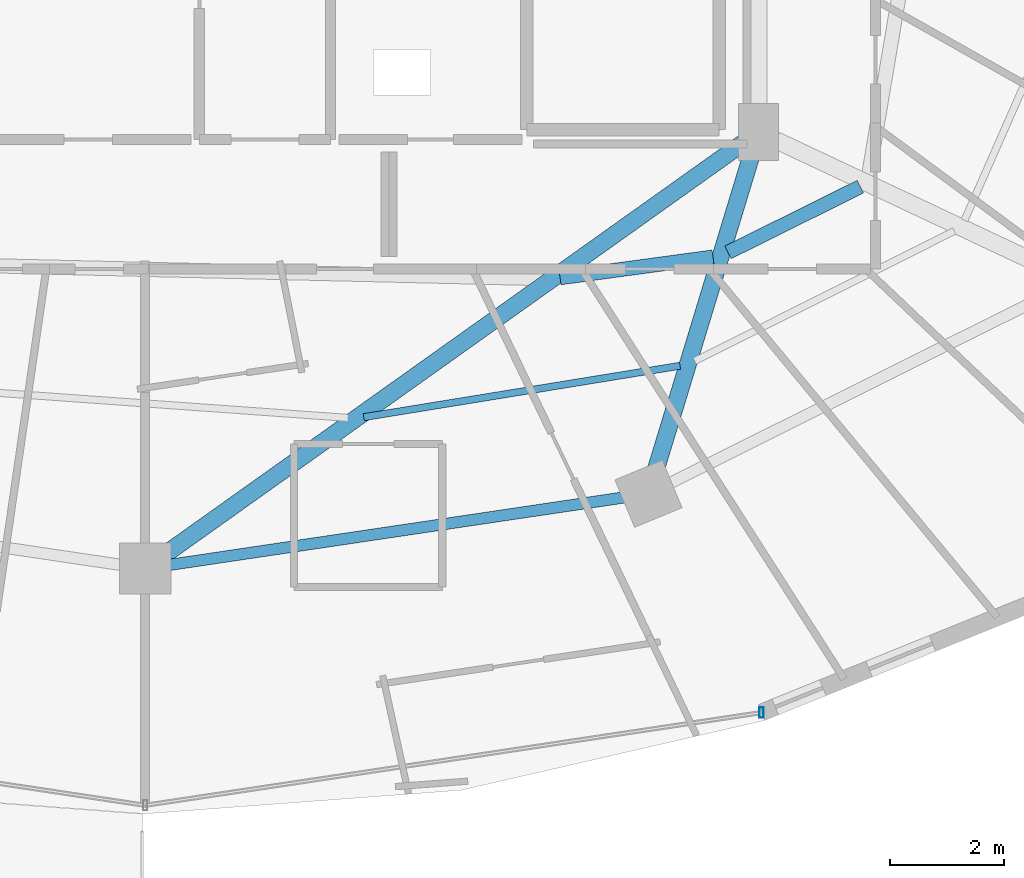
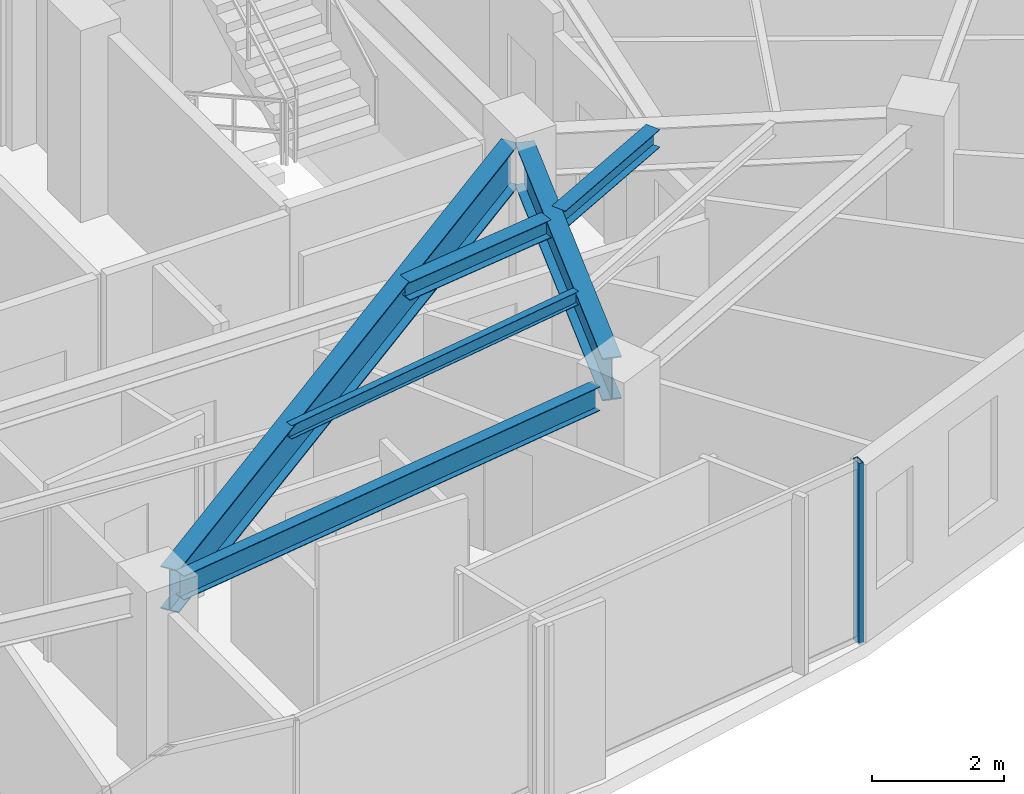
# One storey, part 11 of 33: 6 beams, 1 member, 1 element without a shape of its own.
"""IFC4 building model written with IfcOpenShell, lengths in metres."""

from ifc_helpers import new_model, si_unit, direction, frame, origin, origin_2d, place, context, subcontext, project, spatial, hollow_rectangle, i_section, extrude, material, material_profile, profile_set, type_object, element, aggregate, save


model = new_model("IFC4")

# Units and contexts
model_context = context("Model", 3, precision=1e-05, world=origin(), true_north=direction((0.0, 1.0)))
body_context = subcontext(model_context, "Body", "Model", "MODEL_VIEW")
ifc_project = project(units=[si_unit("LENGTHUNIT", "METRE"), si_unit("AREAUNIT", "SQUARE_METRE"), si_unit("VOLUMEUNIT", "CUBIC_METRE"), si_unit("PLANEANGLEUNIT", "RADIAN"), si_unit("MASSUNIT", "GRAM", prefix="KILO")], contexts=[model_context])

# Site, building, storey
site_placement = place(None, origin())
site = spatial("IfcSite", under=ifc_project, at=site_placement, CompositionType="ELEMENT")
building_placement = place(site_placement, origin())
building = spatial("IfcBuilding", under=site, at=building_placement, Name="Vorneva Point Tower", CompositionType="ELEMENT")
storey_placement = place(building_placement, frame((0.0, 0.0, 203.64990234375)))
storey = spatial("IfcBuildingStorey", under=building, at=storey_placement, Name="L55", CompositionType="ELEMENT", Elevation=203.64990234375)

# Beams
ifc_material_1 = material(Name="Steel S355", Category="steel")
ifc_material_profile_1 = material_profile(ifc_material_1, i_section(OverallWidth=0.300048828125, OverallDepth=0.7880859375, WebThickness=0.014404296875, FlangeThickness=0.02197265625, at=origin_2d()), Name="80Sh1")
ifc_profile_set_1 = profile_set([ifc_material_profile_1], Name="Steel S355")
beam_type_1 = type_object("IfcBeamType", Name="BM-GRD-80Sh1", PredefinedType="USERDEFINED", material=ifc_profile_set_1)
beam_1_placement = place(storey_placement, frame((38.35693359375, 9.053955078125, 2.89599609375), z_axis=(0.814749933852, 0.579812508737, 0.0), x_axis=(-0.579812508737, 0.814749933852, 0.0)))
element("IfcBeam", 1, at=beam_1_placement, inside=storey, type_object=beam_type_1, Name="L55 Radial Primary Girder 13", ObjectType="GIRDER", PredefinedType="USERDEFINED", context=body_context, shape_type="SweptSolid", body=[
    extrude(i_section(OverallWidth=0.300048828125, OverallDepth=0.7880859375, WebThickness=0.014404296875, FlangeThickness=0.02197265625, at=origin_2d()), origin(), (0.0, 0.0, 1.0), 12.416015625),
])
beam_2_placement = place(storey_placement, frame((46.948486328125, 10.5283203125, 2.89599609375), z_axis=(0.291025429135, 0.956715317948, 0.0), x_axis=(-0.956715317948, 0.291025429135, 0.0)))
element("IfcBeam", 2, at=beam_2_placement, inside=storey, type_object=beam_type_1, Name="L55 Radial Primary Girder 14", ObjectType="GIRDER", PredefinedType="USERDEFINED", context=body_context, shape_type="SweptSolid", body=[
    extrude(i_section(OverallWidth=0.300048828125, OverallDepth=0.7880859375, WebThickness=0.014404296875, FlangeThickness=0.02197265625, at=origin_2d()), origin(), (0.0, 0.0, 1.0), 5.849609375),
])
ifc_material_profile_2 = material_profile(ifc_material_1, i_section(OverallWidth=0.1240234375, OverallDepth=0.248046875, WebThickness=0.0048828125, FlangeThickness=0.008056640625, at=origin_2d()), Name="25B1")
ifc_profile_set_2 = profile_set([ifc_material_profile_2], Name="Steel S355")
beam_type_2 = type_object("IfcBeamType", Name="BM-JST-25B1", PredefinedType="JOIST", material=ifc_profile_set_2)
beam_3_placement = place(storey_placement, frame((41.831298828125, 11.451904296875, 3.166015625), z_axis=(0.987040600288, 0.160470724383, 0.0), x_axis=(-0.160470724383, 0.987040600288, 0.0)))
element("IfcBeam", 3, at=beam_3_placement, inside=storey, type_object=beam_type_2, Name="L55 Secondary Floor Beam 1.13", PredefinedType="JOIST", context=body_context, shape_type="SweptSolid", body=[
    extrude(i_section(OverallWidth=0.1240234375, OverallDepth=0.248046875, WebThickness=0.0048828125, FlangeThickness=0.008056640625, at=origin_2d()), origin(), (0.0, 0.0, 1.0), 5.615478515625),
])
ifc_material_profile_3 = material_profile(ifc_material_1, i_section(OverallWidth=0.2490234375, OverallDepth=0.333984375, WebThickness=0.008056640625, FlangeThickness=0.010986328125, at=origin_2d()), Name="35Sh1")
ifc_profile_set_3 = profile_set([ifc_material_profile_3], Name="Steel S355")
beam_type_3 = type_object("IfcBeamType", Name="BM-SEC-35Sh1", PredefinedType="BEAM", material=ifc_profile_set_3)
beam_4_placement = place(storey_placement, frame((45.271484375, 13.895751953125, 3.123046875), z_axis=(0.990931477232, 0.134368178636, 0.0), x_axis=(-0.134368178636, 0.990931477232, 0.0)))
element("IfcBeam", 4, at=beam_4_placement, inside=storey, type_object=beam_type_3, Name="L55 Secondary Floor Beam 2.13", PredefinedType="BEAM", context=body_context, shape_type="SweptSolid", body=[
    extrude(i_section(OverallWidth=0.2490234375, OverallDepth=0.333984375, WebThickness=0.008056640625, FlangeThickness=0.010986328125, at=origin_2d()), origin(), (0.0, 0.0, 1.0), 2.705322265625),
])
beam_5_placement = place(storey_placement, frame((48.212646484375, 14.33935546875, 3.123046875), z_axis=(0.895686614841, 0.444685830666, 0.0), x_axis=(-0.444685830666, 0.895686614841, 0.0)))
element("IfcBeam", 5, at=beam_5_placement, inside=storey, type_object=beam_type_3, Name="L55 Secondary Floor Beam 2.14", PredefinedType="BEAM", context=body_context, shape_type="SweptSolid", body=[
    extrude(i_section(OverallWidth=0.2490234375, OverallDepth=0.333984375, WebThickness=0.008056640625, FlangeThickness=0.010986328125, at=origin_2d()), origin(), (0.0, 0.0, 1.0), 2.59033203125),
])
ifc_material_profile_4 = material_profile(ifc_material_1, i_section(OverallWidth=0.198974609375, OverallDepth=0.446044921875, WebThickness=0.008056640625, FlangeThickness=0.011962890625, at=origin_2d()), Name="45B1")
ifc_profile_set_4 = profile_set([ifc_material_profile_4], Name="Steel S355")
beam_type_4 = type_object("IfcBeamType", Name="BM-SPN-45B1", PredefinedType="SPANDREL", material=ifc_profile_set_4)
beam_6_placement = place(storey_placement, frame((38.430419921875, 8.864013671875, 3.067138671875), z_axis=(0.989165476332, 0.146804837907, 0.0), x_axis=(-0.146804837907, 0.989165476332, 0.0)))
element("IfcBeam", 6, at=beam_6_placement, inside=storey, type_object=beam_type_4, Name="L55 Perimeter Spandrel Ring Beam 13", PredefinedType="SPANDREL", context=body_context, shape_type="SweptSolid", body=[
    extrude(i_section(OverallWidth=0.198974609375, OverallDepth=0.446044921875, WebThickness=0.008056640625, FlangeThickness=0.011962890625, at=origin_2d()), origin(), (0.0, 0.0, 1.0), 8.04736328125),
])

# Curtain wall, member
ifc_material_2 = material(Name="Pale anodised aluminium", Category="aluminium")
curtain_wall_type = type_object("IfcCurtainWallType", Name="CW-RES-SYS", PredefinedType="NOTDEFINED", material=ifc_material_2)
curtain_wall_placement = place(storey_placement, origin())
curtain_wall = element("IfcCurtainWall", 7, at=curtain_wall_placement, inside=storey, type_object=curtain_wall_type, Name="L55 Unitised Curtain Wall CW-L55-R03", PredefinedType="NOTDEFINED")
ifc_material_profile_5 = material_profile(ifc_material_2, hollow_rectangle(XDim=0.074951171875, YDim=0.179931640625, WallThickness=0.00390625, at=origin_2d()), Name="AL-MUL 180x75x4")
ifc_profile_set_5 = profile_set([ifc_material_profile_5], Name="Pale anodised aluminium")
member_type = type_object("IfcMemberType", Name="CW-MUL-180", PredefinedType="MULLION", material=ifc_profile_set_5)
member_placement = place(storey_placement, frame((48.80322265625, 6.275146484375, -0.039794921875), z_axis=(0.0, 0.0, 1.0), x_axis=(1.0, 0.0, 0.0)))
member = element("IfcMember", 8, at=member_placement, type_object=member_type, Name="CW-L55-R03 Mullion 05", PredefinedType="MULLION", context=body_context, shape_type="SweptSolid", body=[
    extrude(hollow_rectangle(XDim=0.074951171875, YDim=0.179931640625, WallThickness=0.00390625, at=origin_2d()), origin(), (0.0, 0.0, 1.0), 3.35986328125),
])
aggregate(curtain_wall, [member])

save(model, "model.ifc")
